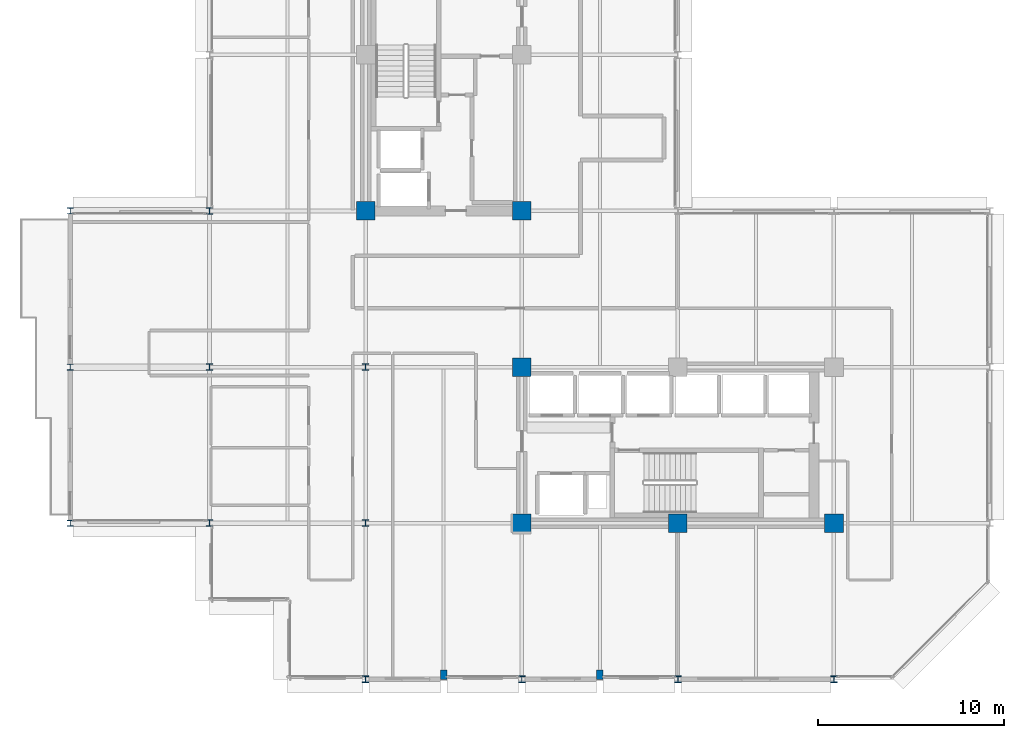
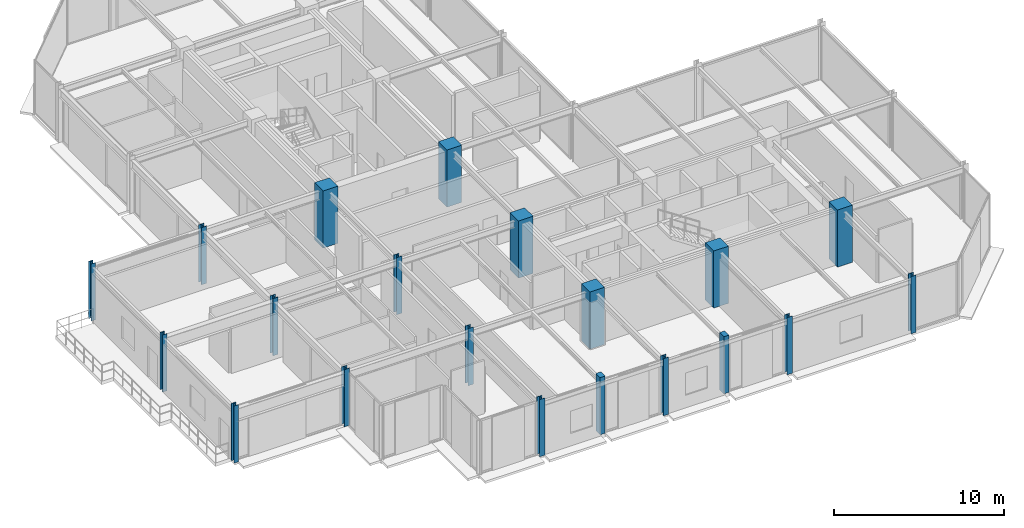
# One storey, part 1 of 29: 20 columns.
"""IFC4 building model written with IfcOpenShell, lengths in metres."""

from ifc_helpers import new_model, si_unit, direction, frame, origin, origin_2d, place, context, subcontext, project, spatial, rectangle, i_section, extrude, material, material_profile, profile_set, type_object, element, save


model = new_model("IFC4")

# Units and contexts
model_context = context("Model", 3, precision=1e-05, world=origin(), true_north=direction((0.0, 1.0)))
body_context = subcontext(model_context, "Body", "Model", "MODEL_VIEW")
ifc_project = project(units=[si_unit("LENGTHUNIT", "METRE"), si_unit("AREAUNIT", "SQUARE_METRE"), si_unit("VOLUMEUNIT", "CUBIC_METRE"), si_unit("PLANEANGLEUNIT", "RADIAN"), si_unit("MASSUNIT", "GRAM", prefix="KILO")], contexts=[model_context])

# Site, building, storey
site_placement = place(None, origin())
site = spatial("IfcSite", under=ifc_project, at=site_placement, CompositionType="ELEMENT")
building_placement = place(site_placement, origin())
building = spatial("IfcBuilding", under=site, at=building_placement, Name="Nerrivon Quay Data Exchange", CompositionType="ELEMENT")
storey_placement = place(building_placement, frame((0.0, 0.0, 191.89990234375)))
storey = spatial("IfcBuildingStorey", under=building, at=storey_placement, Name="L45", CompositionType="ELEMENT", Elevation=191.89990234375)

# Columns
ifc_material_1 = material(Name="Concrete S65 (65 MPa)", Category="concrete")
ifc_material_profile_1 = material_profile(ifc_material_1, rectangle(XDim=1.0, YDim=1.0, at=origin_2d()), Name="RC-COL-1000x1000")
ifc_profile_set_1 = profile_set([ifc_material_profile_1], Name="Concrete S65 (65 MPa)")
column_type_1 = type_object("IfcColumnType", Name="COL-C4-1000", PredefinedType="COLUMN", material=ifc_profile_set_1)
for number, where, z_axis, x_axis, name in (
    (1, (8.39990234375, 25.199951171875, 0.0), (0.0, 0.0, 1.0), (1.0, 0.0, 0.0), "L45 Column (8.4,25.2)"),
    (2, (16.800048828125, 8.39990234375, 0.0), (0.0, 0.0, 1.0), (1.0, 0.0, 0.0), "L45 Column (16.8,8.4)"),
    (3, (16.800048828125, 16.800048828125, 0.0), (0.0, 0.0, 1.0), (1.0, 0.0, 0.0), "L45 Column (16.8,16.8)"),
    (4, (16.800048828125, 25.199951171875, 0.0), (0.0, 0.0, 1.0), (1.0, 0.0, 0.0), "L45 Column (16.8,25.2)"),
    (5, (25.199951171875, 8.39990234375, 0.0), (0.0, 0.0, 1.0), (1.0, 0.0, 0.0), "L45 Column (25.2,8.4)"),
    (6, (33.60009765625, 8.39990234375, 0.0), (0.0, 0.0, 1.0), (1.0, 0.0, 0.0), "L45 Column (33.6,8.4)"),
):
    element("IfcColumn", number, at=place(storey_placement, frame(where, z_axis=z_axis, x_axis=x_axis)), inside=storey, type_object=column_type_1, Name=name, PredefinedType="COLUMN", context=body_context, shape_type="SweptSolid", body=[
        extrude(rectangle(XDim=1.0, YDim=1.0, at=origin_2d()), origin(), (0.0, 0.0, 1.0), 4.10009765625),
    ])
ifc_material_2 = material(Name="Steel Grade 350", Category="steel")
ifc_material_profile_2 = material_profile(ifc_material_2, i_section(OverallWidth=0.35009765625, OverallDepth=0.35009765625, WebThickness=0.02001953125, FlangeThickness=0.031982421875, at=origin_2d()), Name="350WC230")
ifc_profile_set_2 = profile_set([ifc_material_profile_2], Name="Steel Grade 350")
column_type_2 = type_object("IfcColumnType", Name="COL-SC3-350WC", PredefinedType="COLUMN", material=ifc_profile_set_2)
for number, where, z_axis, x_axis, name in (
    (7, (0.0, 8.39990234375, 0.0), (0.0, 0.0, 1.0), (1.0, 0.0, 0.0), "L45 Column (0.0,8.4)"),
    (8, (0.0, 16.800048828125, 0.0), (0.0, 0.0, 1.0), (1.0, 0.0, 0.0), "L45 Column (0.0,16.8)"),
    (9, (0.0, 25.199951171875, 0.0), (0.0, 0.0, 1.0), (1.0, 0.0, 0.0), "L45 Column (0.0,25.2)"),
    (10, (8.39990234375, 0.0, 0.0), (0.0, 0.0, 1.0), (1.0, 0.0, 0.0), "L45 Column (8.4,0.0)"),
    (11, (8.39990234375, 8.39990234375, 0.0), (0.0, 0.0, 1.0), (1.0, 0.0, 0.0), "L45 Column (8.4,8.4)"),
    (12, (8.39990234375, 16.800048828125, 0.0), (0.0, 0.0, 1.0), (1.0, 0.0, 0.0), "L45 Column (8.4,16.8)"),
    (13, (16.800048828125, 0.0, 0.0), (0.0, 0.0, 1.0), (1.0, 0.0, 0.0), "L45 Column (16.8,0.0)"),
    (14, (25.199951171875, 0.0, 0.0), (0.0, 0.0, 1.0), (1.0, 0.0, 0.0), "L45 Column (25.2,0.0)"),
    (15, (33.60009765625, 0.0, 0.0), (0.0, 0.0, 1.0), (1.0, 0.0, 0.0), "L45 Column (33.6,0.0)"),
):
    element("IfcColumn", number, at=place(storey_placement, frame(where, z_axis=z_axis, x_axis=x_axis)), inside=storey, type_object=column_type_2, Name=name, PredefinedType="COLUMN", context=body_context, shape_type="SweptSolid", body=[
        extrude(i_section(OverallWidth=0.35009765625, OverallDepth=0.35009765625, WebThickness=0.02001953125, FlangeThickness=0.031982421875, at=origin_2d()), origin(), (0.0, 0.0, 1.0), 4.10009765625),
    ])
ifc_material_profile_3 = material_profile(ifc_material_2, i_section(OverallWidth=0.31103515625, OverallDepth=0.326904296875, WebThickness=0.015625, FlangeThickness=0.02490234375, FilletRadius=0.0166015625, at=origin_2d()), Name="310UC158")
ifc_profile_set_3 = profile_set([ifc_material_profile_3], Name="Steel Grade 350")
column_type_3 = type_object("IfcColumnType", Name="COL-SC4-310UC158", PredefinedType="COLUMN", material=ifc_profile_set_3)
for number, where, z_axis, x_axis, name in (
    (16, (-7.5, 8.39990234375, 0.0), (0.0, 0.0, 1.0), (1.0, 0.0, 0.0), "L45 West Hooked Post (-7.5,8.4)"),
    (17, (-7.5, 16.800048828125, 0.0), (0.0, 0.0, 1.0), (1.0, 0.0, 0.0), "L45 West Hooked Post (-7.5,16.8)"),
    (18, (-7.5, 25.199951171875, 0.0), (0.0, 0.0, 1.0), (1.0, 0.0, 0.0), "L45 West Hooked Post (-7.5,25.2)"),
):
    element("IfcColumn", number, at=place(storey_placement, frame(where, z_axis=z_axis, x_axis=x_axis)), inside=storey, type_object=column_type_3, Name=name, PredefinedType="COLUMN", context=body_context, shape_type="SweptSolid", body=[
        extrude(i_section(OverallWidth=0.31103515625, OverallDepth=0.326904296875, WebThickness=0.015625, FlangeThickness=0.02490234375, FilletRadius=0.0166015625, at=origin_2d()), origin(), (0.0, 0.0, 1.0), 4.10009765625),
    ])
ifc_material_3 = material(Name="Concrete N50 (50 MPa)", Category="concrete")
ifc_material_profile_4 = material_profile(ifc_material_3, rectangle(XDim=0.35009765625, YDim=0.5, at=origin_2d()), Name="RC-PIL-500x350")
ifc_profile_set_4 = profile_set([ifc_material_profile_4], Name="Concrete N50 (50 MPa)")
column_type_4 = type_object("IfcColumnType", Name="PIL-P2-500x350", PredefinedType="PILASTER", material=ifc_profile_set_4)
for number, where, z_axis, x_axis, name in (
    (19, (12.60009765625, 0.25, 0.0), (0.0, 0.0, 1.0), (1.0, 0.0, 0.0), "L45 Facade Pilaster (12.6)"),
    (20, (21.0, 0.25, 0.0), (0.0, 0.0, 1.0), (1.0, 0.0, 0.0), "L45 Facade Pilaster (21.0)"),
):
    element("IfcColumn", number, at=place(storey_placement, frame(where, z_axis=z_axis, x_axis=x_axis)), inside=storey, type_object=column_type_4, Name=name, PredefinedType="PILASTER", context=body_context, shape_type="SweptSolid", body=[
        extrude(rectangle(XDim=0.35009765625, YDim=0.5, at=origin_2d()), origin(), (0.0, 0.0, 1.0), 4.10009765625),
    ])

save(model, "model.ifc")
